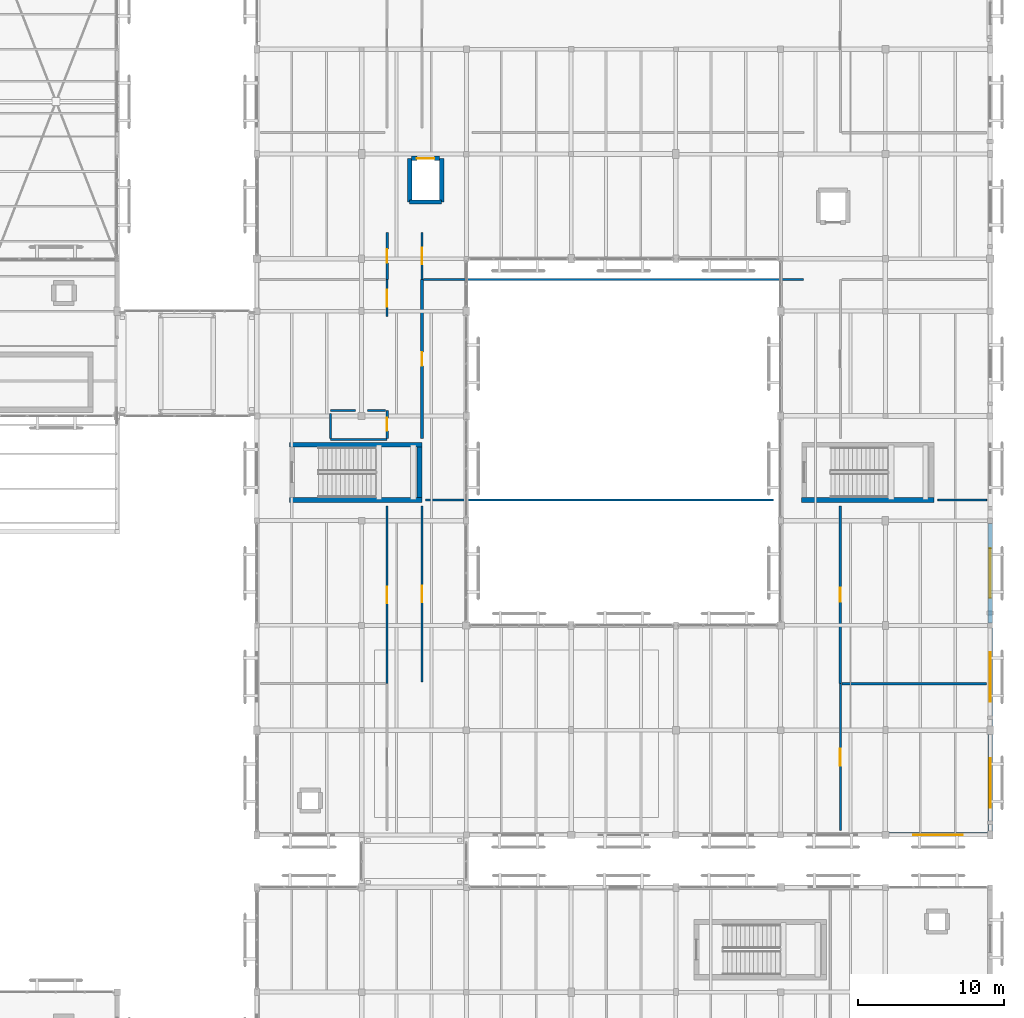
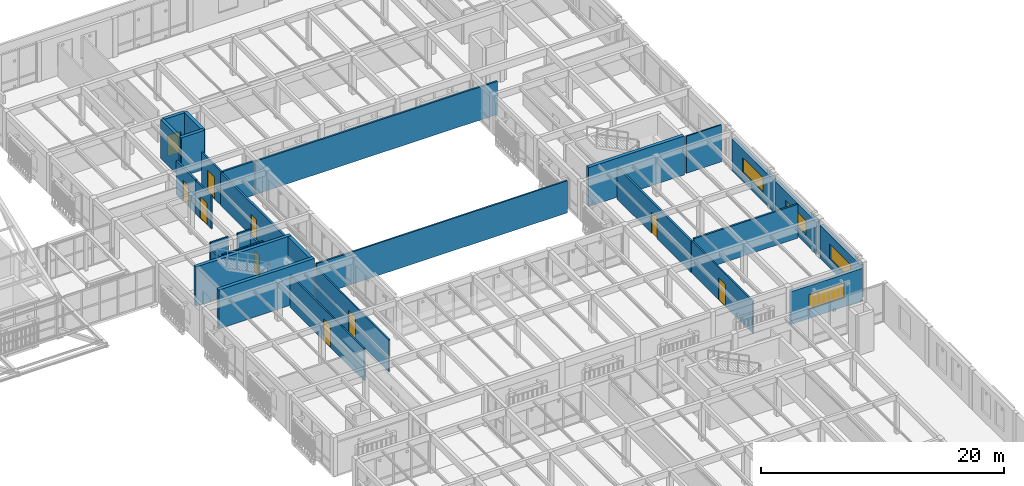
# One storey, part 186 of 217: 30 walls, 10 doors, 4 windows, 14 openings.
"""IFC4 building model written with IfcOpenShell, lengths in metres."""

from ifc_helpers import new_model, si_unit, direction, frame, frame_2d, origin, place, context, subcontext, project, spatial, rectangle, extrude, material, layer, layer_set, type_object, element, fill, save


model = new_model("IFC4")

# Units and contexts
model_context = context("Model", 3, precision=1e-05, world=origin(), true_north=direction((0.0, 1.0)))
body_context = subcontext(model_context, "Body", "Model", "MODEL_VIEW")
ifc_project = project(units=[si_unit("LENGTHUNIT", "METRE"), si_unit("AREAUNIT", "SQUARE_METRE"), si_unit("VOLUMEUNIT", "CUBIC_METRE"), si_unit("PLANEANGLEUNIT", "RADIAN"), si_unit("MASSUNIT", "GRAM", prefix="KILO")], contexts=[model_context])

# Site, building, storey
site_placement = place(None, origin())
site = spatial("IfcSite", under=ifc_project, at=site_placement, CompositionType="ELEMENT")
building_placement = place(site_placement, origin())
building = spatial("IfcBuilding", under=site, at=building_placement, Name="Mazaris Harbour Polytechnic", CompositionType="ELEMENT")
storey_placement = place(building_placement, frame((0.0, 0.0, 9.60009765625)))
storey = spatial("IfcBuildingStorey", under=building, at=storey_placement, Name="L02", CompositionType="ELEMENT", Elevation=9.60009765625)

# Walls
ifc_material_1 = material(Name="Gypsum Board and Mineral Wool")
ifc_layer_1 = layer(ifc_material_1, 0.1201171875, Name="Gypsum Board and Mineral Wool")
ifc_layer_set_1 = layer_set([ifc_layer_1], Name="Gypsum Board and Mineral Wool")
wall_type_1 = type_object("IfcWallType", Name="Acoustic Stud Partition 120", PredefinedType="PARTITIONING", material=ifc_layer_set_1)
wall_1_placement = place(storey_placement, frame((169.205078125, 69.824951171875, 0.0), z_axis=(0.0, 0.0, 1.0), x_axis=(1.0, 0.0, 0.0)))
element("IfcWall", 1, at=wall_1_placement, inside=storey, type_object=wall_type_1, Name="V5 L02 Partition 621", PredefinedType="PARTITIONING", context=body_context, shape_type="SweptSolid", body=[
    extrude(rectangle(XDim=3.344970703125, YDim=0.1201171875, at=frame_2d((1.67236328125, 0.0))), origin(), (0.0, 0.0, 1.0), 3.719970703125),
])
ifc_material_2 = material(Name="Double Gypsum and Mineral Wool")
ifc_layer_2 = layer(ifc_material_2, 0.14990234375, Name="Double Gypsum and Mineral Wool")
ifc_layer_set_2 = layer_set([ifc_layer_2], Name="Double Gypsum and Mineral Wool")
wall_type_2 = type_object("IfcWallType", Name="Classroom Acoustic Partition 150", PredefinedType="PARTITIONING", material=ifc_layer_set_2)
wall_2_placement = place(storey_placement, frame((134.0048828125, 69.824951171875, 0.0), z_axis=(0.0, 0.0, 1.0), x_axis=(1.0, 0.0, 0.0)))
element("IfcWall", 2, at=wall_2_placement, inside=storey, type_object=wall_type_2, Name="V5 L02 Partition 611", PredefinedType="PARTITIONING", context=body_context, shape_type="SweptSolid", body=[
    extrude(rectangle(XDim=23.89013671875, YDim=0.14990234375, at=frame_2d((11.945068359375, 0.0))), origin(), (0.0, 0.0, 1.0), 3.239990234375),
])

# Wall, opening, door
ifc_material_3 = material(Name="Terracotta Block and Plaster", Category="masonry")
ifc_layer_3 = layer(ifc_material_3, 0.179931640625, Name="Terracotta Block and Plaster")
ifc_layer_set_3 = layer_set([ifc_layer_3], Name="Terracotta Block and Plaster")
wall_type_3 = type_object("IfcWallType", Name="Corridor Fire Partition 180", PredefinedType="PARTITIONING", material=ifc_layer_set_3)
wall_3_placement = place(storey_placement, frame((131.35009765625, 84.97998046875, 0.0), z_axis=(0.0, 0.0, 1.0), x_axis=(0.0, 1.0, 0.0)))
wall_3 = element("IfcWall", 3, at=wall_3_placement, inside=storey, type_object=wall_type_3, Name="V5 L02 Partition 607", PredefinedType="PARTITIONING", context=body_context, shape_type="SweptSolid", body=[
    extrude(rectangle(XDim=3.215087890625, YDim=0.179931640625, at=frame_2d((1.607421875, 0.0))), origin(), (0.0, 0.0, 1.0), 3.39990234375),
])
opening_1_placement = place(wall_3_placement, frame((1.132568359375, 0.0, 0.0)))
opening_1 = element("IfcOpeningElement", 4, at=opening_1_placement, cuts=wall_3, Name="Opening ID-01L", PredefinedType="OPENING", context=body_context, shape_type="SweptSolid", body=[
    extrude(rectangle(XDim=0.949951171875, YDim=2.14990234375, at=frame_2d((0.47509765625, 1.074951171875))), frame((0.0, 0.099853515625, 0.0), z_axis=(0.0, -1.0, 0.0), x_axis=(1.0, 0.0, 0.0)), (0.0, 0.0, 1.0), 0.199951171875),
])
ifc_material_4 = material(Name="Solid Oak Timber", Category="wood")
door_type_1 = type_object("IfcDoorType", Name="Classroom Single Door LH 950x2150", OperationType="SINGLE_SWING_LEFT", PredefinedType="DOOR", material=ifc_material_4)
door_1_placement = place(opening_1_placement, origin())
door_1 = element("IfcDoor", 5, at=door_1_placement, inside=storey, type_object=door_type_1, Name="ID-0295", OperationType="SINGLE_SWING_LEFT", OverallHeight=2.14990234375, OverallWidth=0.949951171875, PredefinedType="DOOR", context=body_context, shape_type="SweptSolid", body=[
    extrude(rectangle(XDim=0.949951171875, YDim=2.14990234375, at=frame_2d((0.47509765625, 1.074951171875))), frame((0.0, 0.02490234375, 0.0), z_axis=(0.0, -1.0, 0.0), x_axis=(1.0, 0.0, 0.0)), (0.0, 0.0, 1.0), 0.050048828125),
])
fill(opening_1, door_1)

wall_4_placement = place(storey_placement, frame((133.75, 74.054931640625, 0.0), z_axis=(0.0, 0.0, 1.0), x_axis=(0.0, 1.0, 0.0)))
wall_4 = element("IfcWall", 6, at=wall_4_placement, inside=storey, type_object=wall_type_3, Name="V5 L02 Partition 612", PredefinedType="PARTITIONING", context=body_context, shape_type="SweptSolid", body=[
    extrude(rectangle(XDim=10.920166015625, YDim=0.179931640625, at=frame_2d((5.4599609375, 0.0))), origin(), (0.0, 0.0, 1.0), 3.27978515625),
])
opening_2_placement = place(wall_4_placement, frame((4.985107421875, 0.0, 0.0)))
opening_2 = element("IfcOpeningElement", 7, at=opening_2_placement, cuts=wall_4, Name="Opening ID-01L", PredefinedType="OPENING", context=body_context, shape_type="SweptSolid", body=[
    extrude(rectangle(XDim=0.949951171875, YDim=2.14990234375, at=frame_2d((0.47509765625, 1.074951171875))), frame((0.0, 0.099853515625, 0.0), z_axis=(0.0, -1.0, 0.0), x_axis=(1.0, 0.0, 0.0)), (0.0, 0.0, 1.0), 0.199951171875),
])
door_2_placement = place(opening_2_placement, origin())
door_2 = element("IfcDoor", 8, at=door_2_placement, inside=storey, type_object=door_type_1, Name="ID-0298", OperationType="SINGLE_SWING_LEFT", OverallHeight=2.14990234375, OverallWidth=0.949951171875, PredefinedType="DOOR", context=body_context, shape_type="SweptSolid", body=[
    extrude(rectangle(XDim=0.949951171875, YDim=2.14990234375, at=frame_2d((0.47509765625, 1.074951171875))), frame((0.0, 0.02490234375, 0.0), z_axis=(0.0, -1.0, 0.0), x_axis=(1.0, 0.0, 0.0)), (0.0, 0.0, 1.0), 0.050048828125),
])
fill(opening_2, door_2)

wall_5_placement = place(storey_placement, frame((162.5, 57.205078125, 0.0), z_axis=(0.0, 0.0, 1.0), x_axis=(0.0, 1.0, 0.0)))
wall_5 = element("IfcWall", 9, at=wall_5_placement, inside=storey, type_object=wall_type_3, Name="V5 L02 Partition 620", PredefinedType="PARTITIONING", context=body_context, shape_type="SweptSolid", body=[
    extrude(rectangle(XDim=12.18994140625, YDim=0.179931640625, at=frame_2d((6.094970703125, 0.0))), origin(), (0.0, 0.0, 1.0), 3.179931640625),
])
opening_3_placement = place(wall_5_placement, frame((5.6201171875, 0.0, 0.0)))
opening_3 = element("IfcOpeningElement", 10, at=opening_3_placement, cuts=wall_5, Name="Opening ID-01L", PredefinedType="OPENING", context=body_context, shape_type="SweptSolid", body=[
    extrude(rectangle(XDim=0.949951171875, YDim=2.14990234375, at=frame_2d((0.47509765625, 1.074951171875))), frame((0.0, 0.099853515625, 0.0), z_axis=(0.0, -1.0, 0.0), x_axis=(1.0, 0.0, 0.0)), (0.0, 0.0, 1.0), 0.199951171875),
])
door_3_placement = place(opening_3_placement, origin())
door_3 = element("IfcDoor", 11, at=door_3_placement, inside=storey, type_object=door_type_1, Name="ID-0302", OperationType="SINGLE_SWING_LEFT", OverallHeight=2.14990234375, OverallWidth=0.949951171875, PredefinedType="DOOR", context=body_context, shape_type="SweptSolid", body=[
    extrude(rectangle(XDim=0.949951171875, YDim=2.14990234375, at=frame_2d((0.47509765625, 1.074951171875))), frame((0.0, 0.02490234375, 0.0), z_axis=(0.0, -1.0, 0.0), x_axis=(1.0, 0.0, 0.0)), (0.0, 0.0, 1.0), 0.050048828125),
])
fill(opening_3, door_3)

# Walls
ifc_material_5 = material(Name="Fireboard and Mineral Wool")
ifc_layer_4 = layer(ifc_material_5, 0.1650390625, Name="Fireboard and Mineral Wool")
ifc_layer_set_4 = layer_set([ifc_layer_4], Name="Fireboard and Mineral Wool")
wall_type_4 = type_object("IfcWallType", Name="Laboratory Rated Partition 165", PredefinedType="PARTITIONING", material=ifc_layer_set_4)
wall_6_placement = place(storey_placement, frame((133.8701171875, 84.97509765625, 0.0), z_axis=(0.0, 0.0, 1.0), x_axis=(1.0, 0.0, 0.0)))
element("IfcWall", 12, at=wall_6_placement, inside=storey, type_object=wall_type_4, Name="V5 L02 Partition 613", PredefinedType="PARTITIONING", context=body_context, shape_type="SweptSolid", body=[
    extrude(rectangle(XDim=3.009765625, YDim=0.1650390625, at=frame_2d((1.5048828125, 0.0))), origin(), (0.0, 0.0, 1.0), 3.39990234375),
])
wall_7_placement = place(storey_placement, frame((136.885009765625, 84.97509765625, 0.0), z_axis=(0.0, 0.0, 1.0), x_axis=(1.0, 0.0, 0.0)))
element("IfcWall", 13, at=wall_7_placement, inside=storey, type_object=wall_type_4, Name="V5 L02 Partition 615", PredefinedType="PARTITIONING", context=body_context, shape_type="SweptSolid", body=[
    extrude(rectangle(XDim=23.094970703125, YDim=0.1650390625, at=frame_2d((11.54736328125, 0.0))), origin(), (0.0, 0.0, 1.0), 3.33984375),
])
wall_8_placement = place(storey_placement, frame((162.6201171875, 57.199951171875, 0.0), z_axis=(0.0, 0.0, 1.0), x_axis=(1.0, 0.0, 0.0)))
element("IfcWall", 14, at=wall_8_placement, inside=storey, type_object=wall_type_4, Name="V5 L02 Partition 619", PredefinedType="PARTITIONING", context=body_context, shape_type="SweptSolid", body=[
    extrude(rectangle(XDim=9.929931640625, YDim=0.1650390625, at=frame_2d((4.96484375, 0.0))), origin(), (0.0, 0.0, 1.0), 3.39990234375),
])

# Wall, opening, door
ifc_material_6 = material(Name="Moisture-Resistant Blockwork", Category="masonry")
ifc_layer_5 = layer(ifc_material_6, 0.175048828125, Name="Moisture-Resistant Blockwork")
ifc_layer_set_5 = layer_set([ifc_layer_5], Name="Moisture-Resistant Blockwork")
wall_type_5 = type_object("IfcWallType", Name="Laboratory Wet Service Wall 175", PredefinedType="PLUMBINGWALL", material=ifc_layer_set_5)
wall_9_placement = place(storey_placement, frame((131.35009765625, 74.054931640625, 0.0), z_axis=(0.0, 0.0, 1.0), x_axis=(0.0, 1.0, 0.0)))
wall_9 = element("IfcWall", 15, at=wall_9_placement, inside=storey, type_object=wall_type_5, Name="V5 L02 Partition 600", PredefinedType="PLUMBINGWALL", context=body_context, shape_type="SweptSolid", body=[
    extrude(rectangle(XDim=1.925048828125, YDim=0.175048828125, at=frame_2d((0.96240234375, 0.0))), origin(), (0.0, 0.0, 1.0), 3.27978515625),
])
opening_4_placement = place(wall_9_placement, frame((0.512451171875, 0.0, 0.0)))
opening_4 = element("IfcOpeningElement", 16, at=opening_4_placement, cuts=wall_9, Name="Opening ID-07R", PredefinedType="OPENING", context=body_context, shape_type="SweptSolid", body=[
    extrude(rectangle(XDim=0.89990234375, YDim=2.10009765625, at=frame_2d((0.449951171875, 1.050048828125))), frame((0.0, 0.097412109375, 0.0), z_axis=(0.0, -1.0, 0.0), x_axis=(1.0, 0.0, 0.0)), (0.0, 0.0, 1.0), 0.195068359375),
])
ifc_material_7 = material(Name="Moisture-Resistant Laminate Timber", Category="wood")
door_type_2 = type_object("IfcDoorType", Name="Sanitary Room Door RH 900x2100", OperationType="SINGLE_SWING_RIGHT", PredefinedType="DOOR", material=ifc_material_7)
door_4_placement = place(opening_4_placement, origin())
door_4 = element("IfcDoor", 17, at=door_4_placement, inside=storey, type_object=door_type_2, Name="ID-0291", OperationType="SINGLE_SWING_RIGHT", OverallHeight=2.10009765625, OverallWidth=0.89990234375, PredefinedType="DOOR", context=body_context, shape_type="SweptSolid", body=[
    extrude(rectangle(XDim=0.89990234375, YDim=2.10009765625, at=frame_2d((0.449951171875, 1.050048828125))), frame((0.0, 0.02490234375, 0.0), z_axis=(0.0, -1.0, 0.0), x_axis=(1.0, 0.0, 0.0)), (0.0, 0.0, 1.0), 0.050048828125),
])
fill(opening_4, door_4)

# Wall, opening, window
ifc_material_8 = material(Name="Algerian Buff Limestone and Mineral Wool", Category="masonry")
ifc_layer_6 = layer(ifc_material_8, 0.31005859375, Name="Algerian Buff Limestone and Mineral Wool")
ifc_layer_set_6 = layer_set([ifc_layer_6], Name="Algerian Buff Limestone and Mineral Wool")
wall_type_6 = type_object("IfcWallType", Name="Limestone Studio Wall 310", PredefinedType="STANDARD", material=ifc_layer_set_6)
wall_10_placement = place(storey_placement, frame((172.60791015625, 46.800048828125, 0.0), z_axis=(0.0, 0.0, 1.0), x_axis=(-1.0, 0.0, 0.0)))
wall_10 = element("IfcWall", 18, at=wall_10_placement, inside=storey, type_object=wall_type_6, Name="V5 L02 Exterior Wall 338", PredefinedType="STANDARD", context=body_context, shape_type="SweptSolid", body=[
    extrude(rectangle(XDim=6.765869140625, YDim=0.31005859375, at=frame_2d((3.3828125, 0.0))), origin(), (0.0, 0.0, 1.0), 3.27978515625),
])
opening_5_placement = place(wall_10_placement, frame((1.68310546875, 0.0, 0.89990234375)))
opening_5 = element("IfcOpeningElement", 19, at=opening_5_placement, cuts=wall_10, Name="Opening WN-16", PredefinedType="OPENING", context=body_context, shape_type="SweptSolid", body=[
    extrude(rectangle(XDim=3.39990234375, YDim=1.5, at=frame_2d((1.699951171875, 0.75))), frame((0.0, 0.1650390625, 0.0), z_axis=(0.0, -1.0, 0.0), x_axis=(1.0, 0.0, 0.0)), (0.0, 0.0, 1.0), 0.330078125),
])
ifc_material_9 = material(Name="Thermally Broken Bronze Aluminium and Low-E Glass", Category="aluminium")
window_type = type_object("IfcWindowType", Name="Workshop Clerestory Ribbon 3400x1500", PartitioningType="DOUBLE_PANEL_VERTICAL", PredefinedType="WINDOW", material=ifc_material_9)
window_1_placement = place(opening_5_placement, origin())
window_1 = element("IfcWindow", 20, at=window_1_placement, inside=storey, type_object=window_type, Name="WN-0389", OverallHeight=1.5, OverallWidth=3.39990234375, PartitioningType="DOUBLE_PANEL_VERTICAL", PredefinedType="WINDOW", context=body_context, shape_type="SweptSolid", body=[
    extrude(rectangle(XDim=3.39990234375, YDim=1.5, at=frame_2d((1.699951171875, 0.75))), frame((0.0, 0.030029296875, 0.0), z_axis=(0.0, -1.0, 0.0), x_axis=(1.0, 0.0, 0.0)), (0.0, 0.0, 1.0), 0.06005859375),
])
fill(opening_5, window_1)

wall_11_placement = place(storey_placement, frame((172.800048828125, 53.7080078125, 0.0), z_axis=(0.0, 0.0, 1.0), x_axis=(0.0, -1.0, 0.0)))
wall_11 = element("IfcWall", 21, at=wall_11_placement, inside=storey, type_object=wall_type_6, Name="V5 L02 Exterior Wall 346", PredefinedType="STANDARD", context=body_context, shape_type="SweptSolid", body=[
    extrude(rectangle(XDim=6.64599609375, YDim=0.31005859375, at=frame_2d((3.322998046875, 0.0))), origin(), (0.0, 0.0, 1.0), 3.33984375),
])
opening_6_placement = place(wall_11_placement, frame((1.623046875, 0.0, 0.89990234375)))
opening_6 = element("IfcOpeningElement", 22, at=opening_6_placement, cuts=wall_11, Name="Opening WN-16", PredefinedType="OPENING", context=body_context, shape_type="SweptSolid", body=[
    extrude(rectangle(XDim=3.39990234375, YDim=1.5, at=frame_2d((1.699951171875, 0.75))), frame((0.0, 0.1650390625, 0.0), z_axis=(0.0, -1.0, 0.0), x_axis=(1.0, 0.0, 0.0)), (0.0, 0.0, 1.0), 0.330078125),
])
window_2_placement = place(opening_6_placement, origin())
window_2 = element("IfcWindow", 23, at=window_2_placement, inside=storey, type_object=window_type, Name="WN-0397", OverallHeight=1.5, OverallWidth=3.39990234375, PartitioningType="DOUBLE_PANEL_VERTICAL", PredefinedType="WINDOW", context=body_context, shape_type="SweptSolid", body=[
    extrude(rectangle(XDim=3.39990234375, YDim=1.5, at=frame_2d((1.699951171875, 0.75))), frame((0.0, 0.030029296875, 0.0), z_axis=(0.0, -1.0, 0.0), x_axis=(1.0, 0.0, 0.0)), (0.0, 0.0, 1.0), 0.06005859375),
])
fill(opening_6, window_2)

wall_12_placement = place(storey_placement, frame((172.800048828125, 61.0380859375, 0.0), z_axis=(0.0, 0.0, 1.0), x_axis=(0.0, -1.0, 0.0)))
wall_12 = element("IfcWall", 24, at=wall_12_placement, inside=storey, type_object=wall_type_6, Name="V5 L02 Exterior Wall 347", PredefinedType="STANDARD", context=body_context, shape_type="SweptSolid", body=[
    extrude(rectangle(XDim=6.74609375, YDim=0.31005859375, at=frame_2d((3.373046875, 0.0))), origin(), (0.0, 0.0, 1.0), 3.27978515625),
])
opening_7_placement = place(wall_12_placement, frame((1.673095703125, 0.0, 0.89990234375)))
opening_7 = element("IfcOpeningElement", 25, at=opening_7_placement, cuts=wall_12, Name="Opening WN-16", PredefinedType="OPENING", context=body_context, shape_type="SweptSolid", body=[
    extrude(rectangle(XDim=3.39990234375, YDim=1.5, at=frame_2d((1.699951171875, 0.75))), frame((0.0, 0.1650390625, 0.0), z_axis=(0.0, -1.0, 0.0), x_axis=(1.0, 0.0, 0.0)), (0.0, 0.0, 1.0), 0.330078125),
])
window_3_placement = place(opening_7_placement, origin())
window_3 = element("IfcWindow", 26, at=window_3_placement, inside=storey, type_object=window_type, Name="WN-0398", OverallHeight=1.5, OverallWidth=3.39990234375, PartitioningType="DOUBLE_PANEL_VERTICAL", PredefinedType="WINDOW", context=body_context, shape_type="SweptSolid", body=[
    extrude(rectangle(XDim=3.39990234375, YDim=1.5, at=frame_2d((1.699951171875, 0.75))), frame((0.0, 0.030029296875, 0.0), z_axis=(0.0, -1.0, 0.0), x_axis=(1.0, 0.0, 0.0)), (0.0, 0.0, 1.0), 0.06005859375),
])
fill(opening_7, window_3)

wall_13_placement = place(storey_placement, frame((172.800048828125, 68.218017578125, 0.0), z_axis=(0.0, 0.0, 1.0), x_axis=(0.0, -1.0, 0.0)))
wall_13 = element("IfcWall", 27, at=wall_13_placement, inside=storey, type_object=wall_type_6, Name="V5 L02 Exterior Wall 348", PredefinedType="STANDARD", context=body_context, shape_type="SweptSolid", body=[
    extrude(rectangle(XDim=6.85595703125, YDim=0.31005859375, at=frame_2d((3.427978515625, 0.0))), origin(), (0.0, 0.0, 1.0), 3.239990234375),
])
opening_8_placement = place(wall_13_placement, frame((1.72802734375, 0.0, 0.89990234375)))
opening_8 = element("IfcOpeningElement", 28, at=opening_8_placement, cuts=wall_13, Name="Opening WN-16", PredefinedType="OPENING", context=body_context, shape_type="SweptSolid", body=[
    extrude(rectangle(XDim=3.39990234375, YDim=1.5, at=frame_2d((1.699951171875, 0.75))), frame((0.0, 0.1650390625, 0.0), z_axis=(0.0, -1.0, 0.0), x_axis=(1.0, 0.0, 0.0)), (0.0, 0.0, 1.0), 0.330078125),
])
window_4_placement = place(opening_8_placement, origin())
window_4 = element("IfcWindow", 29, at=window_4_placement, inside=storey, type_object=window_type, Name="WN-0399", OverallHeight=1.5, OverallWidth=3.39990234375, PartitioningType="DOUBLE_PANEL_VERTICAL", PredefinedType="WINDOW", context=body_context, shape_type="SweptSolid", body=[
    extrude(rectangle(XDim=3.39990234375, YDim=1.5, at=frame_2d((1.699951171875, 0.75))), frame((0.0, 0.030029296875, 0.0), z_axis=(0.0, -1.0, 0.0), x_axis=(1.0, 0.0, 0.0)), (0.0, 0.0, 1.0), 0.06005859375),
])
fill(opening_8, window_4)

# Walls
ifc_material_10 = material(Name="Concrete C40/50", Category="concrete")
ifc_layer_7 = layer(ifc_material_10, 0.324951171875, Name="Concrete C40/50")
ifc_layer_set_7 = layer_set([ifc_layer_7], Name="Concrete C40/50")
wall_type_7 = type_object("IfcWallType", Name="RC Core Shear Wall 325", PredefinedType="SHEAR", material=ifc_layer_set_7)
for number, where, z_axis, x_axis, name in (
    (30, (124.64990234375, 69.824951171875, 0.0), (0.0, 0.0, 1.0), (1.0, 0.0, 0.0), "Core ST09 L02 Shear Wall S"),
    (31, (133.75, 73.625, 0.0), (0.0, 0.0, 1.0), (-1.0, 0.0, 0.0), "Core ST09 L02 Shear Wall N"),
):
    element("IfcWall", number, at=place(storey_placement, frame(where, z_axis=z_axis, x_axis=x_axis)), inside=storey, type_object=wall_type_7, Name=name, PredefinedType="SHEAR", context=body_context, shape_type="SweptSolid", body=[
        extrude(rectangle(XDim=9.10009765625, YDim=0.324951171875, at=frame_2d((4.550048828125, 0.0))), origin(), (0.0, 0.0, 1.0), 3.919921875),
    ])
wall_14_placement = place(storey_placement, frame((133.574951171875, 70.0, 0.0), z_axis=(0.0, 0.0, 1.0), x_axis=(0.0, 1.0, 0.0)))
element("IfcWall", 32, at=wall_14_placement, inside=storey, type_object=wall_type_7, Name="Core ST09 L02 Shear Wall E", PredefinedType="SHEAR", context=body_context, shape_type="SweptSolid", body=[
    extrude(rectangle(XDim=3.449951171875, YDim=0.324951171875, at=frame_2d((1.72509765625, 0.0))), origin(), (0.0, 0.0, 1.0), 3.919921875),
])
wall_15_placement = place(storey_placement, frame((159.85009765625, 69.824951171875, 0.0), z_axis=(0.0, 0.0, 1.0), x_axis=(1.0, 0.0, 0.0)))
element("IfcWall", 33, at=wall_15_placement, inside=storey, type_object=wall_type_7, Name="Core ST10 L02 Shear Wall S", PredefinedType="SHEAR", context=body_context, shape_type="SweptSolid", body=[
    extrude(rectangle(XDim=9.099853515625, YDim=0.324951171875, at=frame_2d((4.5498046875, 0.0))), origin(), (0.0, 0.0, 1.0), 3.919921875),
])
ifc_material_11 = material(Name="Concrete C40/50", Category="concrete")
ifc_layer_8 = layer(ifc_material_11, 0.300048828125, Name="Concrete C40/50")
ifc_layer_set_8 = layer_set([ifc_layer_8], Name="Concrete C40/50")
wall_type_8 = type_object("IfcWallType", Name="RC Lift Shaft Wall 300", PredefinedType="SHEAR", material=ifc_layer_set_8)
wall_16_placement = place(storey_placement, frame((132.89990234375, 90.300048828125, 0.0), z_axis=(0.0, 0.0, 1.0), x_axis=(1.0, 0.0, 0.0)))
element("IfcWall", 34, at=wall_16_placement, inside=storey, type_object=wall_type_8, Name="Lift LF-02 L02 South Shaft Wall", PredefinedType="SHEAR", context=body_context, shape_type="SweptSolid", body=[
    extrude(rectangle(XDim=2.2001953125, YDim=0.300048828125, at=frame_2d((1.10009765625, 0.0))), origin(), (0.0, 0.0, 1.0), 3.919921875),
])
for number, where, z_axis, x_axis, name in (
    (35, (132.89990234375, 93.300048828125, 0.0), (0.0, 0.0, 1.0), (0.0, -1.0, 0.0), "Lift LF-02 L02 West Shaft Wall"),
    (36, (135.10009765625, 90.300048828125, 0.0), (0.0, 0.0, 1.0), (0.0, 1.0, 0.0), "Lift LF-02 L02 East Shaft Wall"),
):
    element("IfcWall", number, at=place(storey_placement, frame(where, z_axis=z_axis, x_axis=x_axis)), inside=storey, type_object=wall_type_8, Name=name, PredefinedType="SHEAR", context=body_context, shape_type="SweptSolid", body=[
        extrude(rectangle(XDim=3.0, YDim=0.300048828125, at=frame_2d((1.5, 0.0))), origin(), (0.0, 0.0, 1.0), 3.919921875),
    ])

# Wall, opening, door
wall_17_placement = place(storey_placement, frame((133.0400390625, 93.300048828125, 0.0), z_axis=(0.0, 0.0, 1.0), x_axis=(1.0, 0.0, 0.0)))
wall_17 = element("IfcWall", 37, at=wall_17_placement, inside=storey, type_object=wall_type_8, Name="Lift LF-02 L02 Front Shaft Wall", PredefinedType="SHEAR", context=body_context, shape_type="SweptSolid", body=[
    extrude(rectangle(XDim=1.919921875, YDim=0.300048828125, at=frame_2d((0.9599609375, 0.0))), origin(), (0.0, 0.0, 1.0), 3.919921875),
])
opening_9_placement = place(wall_17_placement, frame((0.360107421875, 0.0, 0.0)))
opening_9 = element("IfcOpeningElement", 38, at=opening_9_placement, cuts=wall_17, Name="Opening LD-02", PredefinedType="OPENING", context=body_context, shape_type="SweptSolid", body=[
    extrude(rectangle(XDim=1.199951171875, YDim=2.10009765625, at=frame_2d((0.60009765625, 1.050048828125))), frame((0.0, 0.159912109375, 0.0), z_axis=(0.0, -1.0, 0.0), x_axis=(1.0, 0.0, 0.0)), (0.0, 0.0, 1.0), 0.320068359375),
])
ifc_material_12 = material(Name="Stainless Steel S355", Category="steel")
door_type_3 = type_object("IfcDoorType", Name="Sliding Firefighting Lift Landing Door 1200x2100", OperationType="SLIDING_TO_LEFT", PredefinedType="DOOR", material=ifc_material_12)
door_5_placement = place(opening_9_placement, origin())
door_5 = element("IfcDoor", 39, at=door_5_placement, inside=storey, type_object=door_type_3, Name="LD-011", OperationType="SLIDING_TO_LEFT", OverallHeight=2.10009765625, OverallWidth=1.199951171875, PredefinedType="DOOR", context=body_context, shape_type="SweptSolid", body=[
    extrude(rectangle(XDim=1.199951171875, YDim=2.10009765625, at=frame_2d((0.60009765625, 1.050048828125))), frame((0.0, 0.02490234375, 0.0), z_axis=(0.0, -1.0, 0.0), x_axis=(1.0, 0.0, 0.0)), (0.0, 0.0, 1.0), 0.050048828125),
])
fill(opening_9, door_5)

# Walls
ifc_material_13 = material(Name="Moisture-Resistant Gypsum and Steel Stud", Category="steel")
ifc_layer_9 = layer(ifc_material_13, 0.14501953125, Name="Moisture-Resistant Gypsum and Steel Stud")
ifc_layer_set_9 = layer_set([ifc_layer_9], Name="Moisture-Resistant Gypsum and Steel Stud")
wall_type_9 = type_object("IfcWallType", Name="Sanitary Plumbing Wall 145", PredefinedType="PLUMBINGWALL", material=ifc_layer_set_9)
wall_18_placement = place(storey_placement, frame((127.449951171875, 74.054931640625, 0.0), z_axis=(0.0, 0.0, 1.0), x_axis=(0.0, 1.0, 0.0)))
element("IfcWall", 40, at=wall_18_placement, inside=storey, type_object=wall_type_9, Name="V5 L02 Partition 601", PredefinedType="PLUMBINGWALL", context=body_context, shape_type="SweptSolid", body=[
    extrude(rectangle(XDim=1.72509765625, YDim=0.14501953125, at=frame_2d((0.862548828125, 0.0))), origin(), (0.0, 0.0, 1.0), 3.33984375),
])
wall_19_placement = place(storey_placement, frame((127.455078125, 73.97509765625, 0.0), z_axis=(0.0, 0.0, 1.0), x_axis=(1.0, 0.0, 0.0)))
element("IfcWall", 41, at=wall_19_placement, inside=storey, type_object=wall_type_9, Name="V5 L02 Sanitary Partition 732", PredefinedType="PLUMBINGWALL", context=body_context, shape_type="SweptSolid", body=[
    extrude(rectangle(XDim=3.889892578125, YDim=0.14501953125, at=frame_2d((1.94482421875, 0.0))), origin(), (0.0, 0.0, 1.0), 3.919921875),
])
wall_20_placement = place(storey_placement, frame((127.455078125, 75.97509765625, 0.0), z_axis=(0.0, 0.0, 1.0), x_axis=(1.0, 0.0, 0.0)))
element("IfcWall", 42, at=wall_20_placement, inside=storey, type_object=wall_type_9, Name="V5 L02 Sanitary Partition 733", PredefinedType="PLUMBINGWALL", context=body_context, shape_type="SweptSolid", body=[
    extrude(rectangle(XDim=1.724853515625, YDim=0.14501953125, at=frame_2d((0.8623046875, 0.0))), origin(), (0.0, 0.0, 1.0), 3.919921875),
])
wall_21_placement = place(storey_placement, frame((130.02001953125, 75.97509765625, 0.0), z_axis=(0.0, 0.0, 1.0), x_axis=(1.0, 0.0, 0.0)))
element("IfcWall", 43, at=wall_21_placement, inside=storey, type_object=wall_type_9, Name="V5 L02 Sanitary Partition 734", PredefinedType="PLUMBINGWALL", context=body_context, shape_type="SweptSolid", body=[
    extrude(rectangle(XDim=1.232421875, YDim=0.14501953125, at=frame_2d((0.6162109375, 0.0))), origin(), (0.0, 0.0, 1.0), 3.919921875),
])

# Wall, opening, door
ifc_material_14 = material(Name="Gypsum Board and Mineral Wool")
ifc_layer_10 = layer(ifc_material_14, 0.135009765625, Name="Gypsum Board and Mineral Wool")
ifc_layer_set_10 = layer_set([ifc_layer_10], Name="Gypsum Board and Mineral Wool")
wall_type_10 = type_object("IfcWallType", Name="Studio Partition Wall 135", PredefinedType="PARTITIONING", material=ifc_layer_set_10)
wall_22_placement = place(storey_placement, frame((131.35009765625, 57.205078125, 0.0), z_axis=(0.0, 0.0, 1.0), x_axis=(0.0, 1.0, 0.0)))
wall_22 = element("IfcWall", 44, at=wall_22_placement, inside=storey, type_object=wall_type_10, Name="V5 L02 Partition 604", PredefinedType="PARTITIONING", context=body_context, shape_type="SweptSolid", body=[
    extrude(rectangle(XDim=12.18994140625, YDim=0.135009765625, at=frame_2d((6.094970703125, 0.0))), origin(), (0.0, 0.0, 1.0), 3.239990234375),
])
opening_10_placement = place(wall_22_placement, frame((5.52001953125, 0.0, 0.0)))
opening_10 = element("IfcOpeningElement", 45, at=opening_10_placement, cuts=wall_22, Name="Opening ID-03L", PredefinedType="OPENING", context=body_context, shape_type="SweptSolid", body=[
    extrude(rectangle(XDim=1.14990234375, YDim=2.199951171875, at=frame_2d((0.574951171875, 1.10009765625))), frame((0.0, 0.077392578125, 0.0), z_axis=(0.0, -1.0, 0.0), x_axis=(1.0, 0.0, 0.0)), (0.0, 0.0, 1.0), 0.155029296875),
])
ifc_material_15 = material(Name="Glulam Timber and Acoustic Glass", Category="wood")
door_type_4 = type_object("IfcDoorType", Name="Design Studio Door LH 1150x2200", OperationType="SINGLE_SWING_LEFT", PredefinedType="DOOR", material=ifc_material_15)
door_6_placement = place(opening_10_placement, origin())
door_6 = element("IfcDoor", 46, at=door_6_placement, inside=storey, type_object=door_type_4, Name="ID-0293", OperationType="SINGLE_SWING_LEFT", OverallHeight=2.199951171875, OverallWidth=1.14990234375, PredefinedType="DOOR", context=body_context, shape_type="SweptSolid", body=[
    extrude(rectangle(XDim=1.14990234375, YDim=2.199951171875, at=frame_2d((0.574951171875, 1.10009765625))), frame((0.0, 0.02490234375, 0.0), z_axis=(0.0, -1.0, 0.0), x_axis=(1.0, 0.0, 0.0)), (0.0, 0.0, 1.0), 0.050048828125),
])
fill(opening_10, door_6)

wall_23_placement = place(storey_placement, frame((131.35009765625, 82.419921875, 0.0), z_axis=(0.0, 0.0, 1.0), x_axis=(0.0, 1.0, 0.0)))
wall_23 = element("IfcWall", 47, at=wall_23_placement, inside=storey, type_object=wall_type_10, Name="V5 L02 Partition 605", PredefinedType="PARTITIONING", context=body_context, shape_type="SweptSolid", body=[
    extrude(rectangle(XDim=2.55517578125, YDim=0.135009765625, at=frame_2d((1.277587890625, 0.0))), origin(), (0.0, 0.0, 1.0), 3.33984375),
])
opening_11_placement = place(wall_23_placement, frame((0.697509765625, 0.0, 0.0)))
opening_11 = element("IfcOpeningElement", 48, at=opening_11_placement, cuts=wall_23, Name="Opening ID-03R", PredefinedType="OPENING", context=body_context, shape_type="SweptSolid", body=[
    extrude(rectangle(XDim=1.159912109375, YDim=2.199951171875, at=frame_2d((0.580078125, 1.10009765625))), frame((0.0, 0.077392578125, 0.0), z_axis=(0.0, -1.0, 0.0), x_axis=(1.0, 0.0, 0.0)), (0.0, 0.0, 1.0), 0.155029296875),
])
ifc_material_16 = material(Name="Glulam Timber and Acoustic Glass", Category="wood")
door_type_5 = type_object("IfcDoorType", Name="Design Studio Door RH 1160x2200", OperationType="SINGLE_SWING_RIGHT", PredefinedType="DOOR", material=ifc_material_16)
door_7_placement = place(opening_11_placement, origin())
door_7 = element("IfcDoor", 49, at=door_7_placement, inside=storey, type_object=door_type_5, Name="ID-0294", OperationType="SINGLE_SWING_RIGHT", OverallHeight=2.199951171875, OverallWidth=1.159912109375, PredefinedType="DOOR", context=body_context, shape_type="SweptSolid", body=[
    extrude(rectangle(XDim=1.159912109375, YDim=2.199951171875, at=frame_2d((0.580078125, 1.10009765625))), frame((0.0, 0.02490234375, 0.0), z_axis=(0.0, -1.0, 0.0), x_axis=(1.0, 0.0, 0.0)), (0.0, 0.0, 1.0), 0.050048828125),
])
fill(opening_11, door_7)

wall_24_placement = place(storey_placement, frame((133.75, 57.320068359375, 0.0), z_axis=(0.0, 0.0, 1.0), x_axis=(0.0, 1.0, 0.0)))
wall_24 = element("IfcWall", 50, at=wall_24_placement, inside=storey, type_object=wall_type_10, Name="V5 L02 Partition 610", PredefinedType="PARTITIONING", context=body_context, shape_type="SweptSolid", body=[
    extrude(rectangle(XDim=12.074951171875, YDim=0.135009765625, at=frame_2d((6.03759765625, 0.0))), origin(), (0.0, 0.0, 1.0), 3.239990234375),
])
opening_12_placement = place(wall_24_placement, frame((5.45751953125, 0.0, 0.0)))
opening_12 = element("IfcOpeningElement", 51, at=opening_12_placement, cuts=wall_24, Name="Opening ID-03R", PredefinedType="OPENING", context=body_context, shape_type="SweptSolid", body=[
    extrude(rectangle(XDim=1.159912109375, YDim=2.199951171875, at=frame_2d((0.580078125, 1.10009765625))), frame((0.0, 0.077392578125, 0.0), z_axis=(0.0, -1.0, 0.0), x_axis=(1.0, 0.0, 0.0)), (0.0, 0.0, 1.0), 0.155029296875),
])
door_8_placement = place(opening_12_placement, origin())
door_8 = element("IfcDoor", 52, at=door_8_placement, inside=storey, type_object=door_type_5, Name="ID-0297", OperationType="SINGLE_SWING_RIGHT", OverallHeight=2.199951171875, OverallWidth=1.159912109375, PredefinedType="DOOR", context=body_context, shape_type="SweptSolid", body=[
    extrude(rectangle(XDim=1.159912109375, YDim=2.199951171875, at=frame_2d((0.580078125, 1.10009765625))), frame((0.0, 0.02490234375, 0.0), z_axis=(0.0, -1.0, 0.0), x_axis=(1.0, 0.0, 0.0)), (0.0, 0.0, 1.0), 0.050048828125),
])
fill(opening_12, door_8)

wall_25_placement = place(storey_placement, frame((133.75, 84.97998046875, 0.0), z_axis=(0.0, 0.0, 1.0), x_axis=(0.0, 1.0, 0.0)))
wall_25 = element("IfcWall", 53, at=wall_25_placement, inside=storey, type_object=wall_type_10, Name="V5 L02 Partition 614", PredefinedType="PARTITIONING", context=body_context, shape_type="SweptSolid", body=[
    extrude(rectangle(XDim=3.215087890625, YDim=0.135009765625, at=frame_2d((1.607421875, 0.0))), origin(), (0.0, 0.0, 1.0), 3.39990234375),
])
opening_13_placement = place(wall_25_placement, frame((1.027587890625, 0.0, 0.0)))
opening_13 = element("IfcOpeningElement", 54, at=opening_13_placement, cuts=wall_25, Name="Opening ID-03R", PredefinedType="OPENING", context=body_context, shape_type="SweptSolid", body=[
    extrude(rectangle(XDim=1.159912109375, YDim=2.199951171875, at=frame_2d((0.580078125, 1.10009765625))), frame((0.0, 0.077392578125, 0.0), z_axis=(0.0, -1.0, 0.0), x_axis=(1.0, 0.0, 0.0)), (0.0, 0.0, 1.0), 0.155029296875),
])
door_9_placement = place(opening_13_placement, origin())
door_9 = element("IfcDoor", 55, at=door_9_placement, inside=storey, type_object=door_type_5, Name="ID-0299", OperationType="SINGLE_SWING_RIGHT", OverallHeight=2.199951171875, OverallWidth=1.159912109375, PredefinedType="DOOR", context=body_context, shape_type="SweptSolid", body=[
    extrude(rectangle(XDim=1.159912109375, YDim=2.199951171875, at=frame_2d((0.580078125, 1.10009765625))), frame((0.0, 0.02490234375, 0.0), z_axis=(0.0, -1.0, 0.0), x_axis=(1.0, 0.0, 0.0)), (0.0, 0.0, 1.0), 0.050048828125),
])
fill(opening_13, door_9)

wall_26_placement = place(storey_placement, frame((162.5, 47.10009765625, 0.0), z_axis=(0.0, 0.0, 1.0), x_axis=(0.0, 1.0, 0.0)))
wall_26 = element("IfcWall", 56, at=wall_26_placement, inside=storey, type_object=wall_type_10, Name="V5 L02 Partition 618", PredefinedType="PARTITIONING", context=body_context, shape_type="SweptSolid", body=[
    extrude(rectangle(XDim=10.099853515625, YDim=0.135009765625, at=frame_2d((5.0498046875, 0.0))), origin(), (0.0, 0.0, 1.0), 3.239990234375),
])
opening_14_placement = place(wall_26_placement, frame((4.469970703125, 0.0, 0.0)))
opening_14 = element("IfcOpeningElement", 57, at=opening_14_placement, cuts=wall_26, Name="Opening ID-03R", PredefinedType="OPENING", context=body_context, shape_type="SweptSolid", body=[
    extrude(rectangle(XDim=1.159912109375, YDim=2.199951171875, at=frame_2d((0.580078125, 1.10009765625))), frame((0.0, 0.077392578125, 0.0), z_axis=(0.0, -1.0, 0.0), x_axis=(1.0, 0.0, 0.0)), (0.0, 0.0, 1.0), 0.155029296875),
])
door_10_placement = place(opening_14_placement, origin())
door_10 = element("IfcDoor", 58, at=door_10_placement, inside=storey, type_object=door_type_5, Name="ID-0301", OperationType="SINGLE_SWING_RIGHT", OverallHeight=2.199951171875, OverallWidth=1.159912109375, PredefinedType="DOOR", context=body_context, shape_type="SweptSolid", body=[
    extrude(rectangle(XDim=1.159912109375, YDim=2.199951171875, at=frame_2d((0.580078125, 1.10009765625))), frame((0.0, 0.02490234375, 0.0), z_axis=(0.0, -1.0, 0.0), x_axis=(1.0, 0.0, 0.0)), (0.0, 0.0, 1.0), 0.050048828125),
])
fill(opening_14, door_10)

save(model, "model.ifc")
